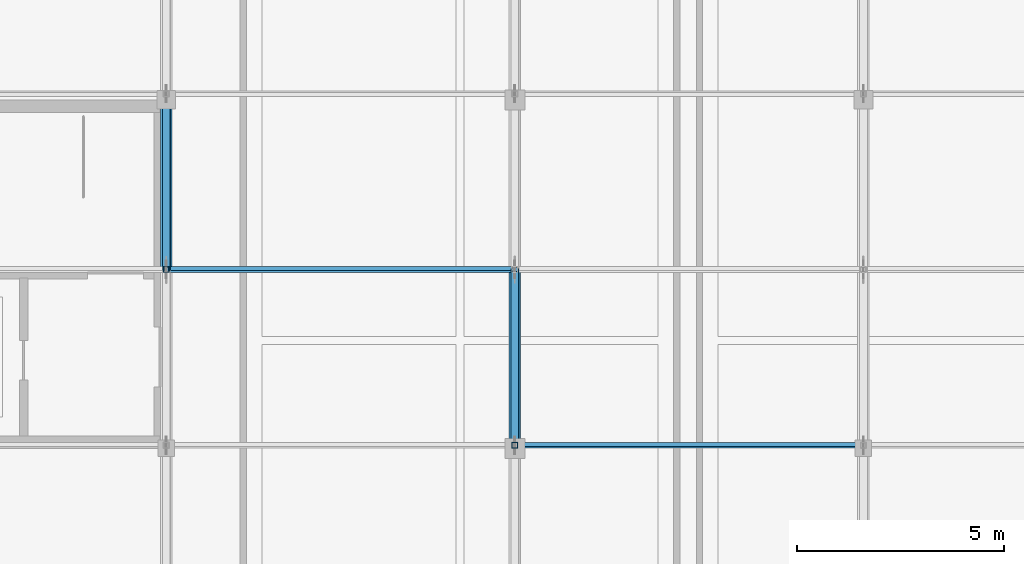
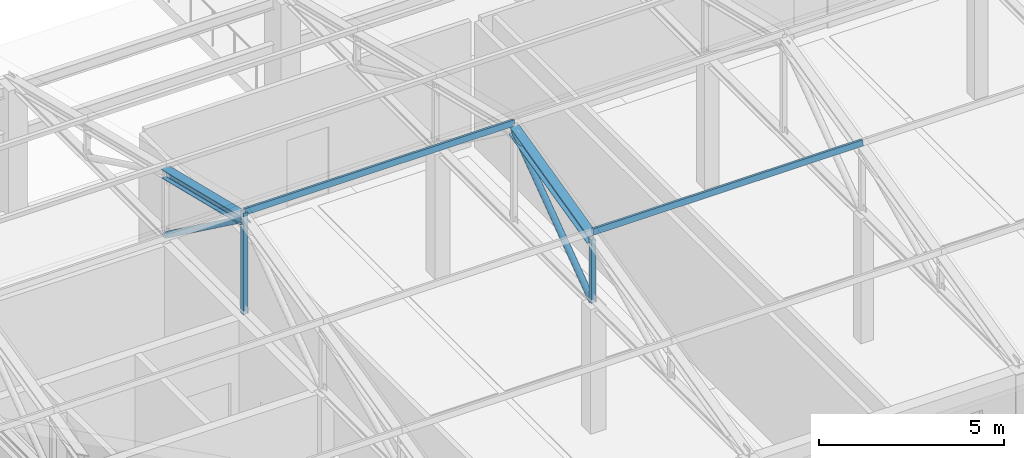
# One storey, part 20 of 192: 8 members.
"""IFC4 building model written with IfcOpenShell, lengths in metres."""

from ifc_helpers import new_model, si_unit, direction, frame, origin, origin_2d, place, context, subcontext, project, spatial, hollow_rectangle, hollow_circle, i_section, extrude, material, material_profile, profile_set, type_object, element, save


model = new_model("IFC4")

# Units and contexts
model_context = context("Model", 3, precision=1e-05, world=origin(), true_north=direction((0.0, 1.0)))
body_context = subcontext(model_context, "Body", "Model", "MODEL_VIEW")
ifc_project = project(units=[si_unit("LENGTHUNIT", "METRE"), si_unit("AREAUNIT", "SQUARE_METRE"), si_unit("VOLUMEUNIT", "CUBIC_METRE"), si_unit("PLANEANGLEUNIT", "RADIAN"), si_unit("MASSUNIT", "GRAM", prefix="KILO")], contexts=[model_context])

# Site, building, storey
site_placement = place(None, origin())
site = spatial("IfcSite", under=ifc_project, at=site_placement, CompositionType="ELEMENT")
building_placement = place(site_placement, origin())
building = spatial("IfcBuilding", under=site, at=building_placement, Name="Kveldsbrygga Polytechnic", CompositionType="ELEMENT")
storey_placement = place(building_placement, frame((0.0, 0.0, 5.43994140625)))
storey = spatial("IfcBuildingStorey", under=building, at=storey_placement, Name="L01", CompositionType="ELEMENT", Elevation=5.43994140625)

# Members
ifc_material = material(Name="Steel S355", Category="steel")
ifc_material_profile_1 = material_profile(ifc_material, hollow_rectangle(XDim=0.10009765625, YDim=0.179931640625, WallThickness=0.008056640625, at=origin_2d()), Name="RHS 180x100x8.0")
ifc_profile_set_1 = profile_set([ifc_material_profile_1], Name="Steel S355")
member_type_1 = type_object("IfcMemberType", Name="PRL-RHS180", PredefinedType="PURLIN", material=ifc_profile_set_1)
member_1_placement = place(storey_placement, frame((16.800048828125, 12.7099609375, 7.456787109375), z_axis=(1.0, 0.0, 0.0), x_axis=(0.0, 0.971520177509, -0.236956841415)))
element("IfcMember", 1, at=member_1_placement, inside=storey, type_object=member_type_1, Name="Roof Purlin V5S-PRL-3-3", PredefinedType="PURLIN", context=body_context, shape_type="SweptSolid", body=[
    extrude(hollow_rectangle(XDim=0.10009765625, YDim=0.179931640625, WallThickness=0.008056640625, at=origin_2d()), origin(), (0.0, 0.0, 1.0), 8.39990234375),
])
member_2_placement = place(storey_placement, frame((25.199951171875, 8.473388671875, 6.423583984375), z_axis=(1.0, 0.0, 0.0), x_axis=(0.0, 0.971520177509, -0.236956841415)))
element("IfcMember", 2, at=member_2_placement, inside=storey, type_object=member_type_1, Name="Roof Purlin V5S-PRL-4-2", PredefinedType="PURLIN", context=body_context, shape_type="SweptSolid", body=[
    extrude(hollow_rectangle(XDim=0.10009765625, YDim=0.179931640625, WallThickness=0.008056640625, at=origin_2d()), origin(), (0.0, 0.0, 1.0), 8.400146484375),
])
ifc_material_profile_2 = material_profile(ifc_material, hollow_circle(Radius=0.096923828125, WallThickness=0.010009765625, at=origin_2d()), Name="CHS 193.7x10.0")
ifc_profile_set_2 = profile_set([ifc_material_profile_2], Name="Steel S355")
member_type_2 = type_object("IfcMemberType", Name="TR-DIAG-CHS194", PredefinedType="BRACE", material=ifc_profile_set_2)
member_3_placement = place(storey_placement, frame((16.800048828125, 12.7099609375, 7.219970703125), z_axis=(0.0, 0.807053568691, -0.590478227594), x_axis=(-1.0, 0.0, 0.0)))
element("IfcMember", 3, at=member_3_placement, inside=storey, type_object=member_type_2, Name="Truss Diagonal V5S-T03-DG-4", PredefinedType="BRACE", context=body_context, shape_type="SweptSolid", body=[
    extrude(hollow_circle(Radius=0.096923828125, WallThickness=0.010009765625, at=origin_2d()), origin(), (0.0, 0.0, 1.0), 5.249755859375),
])
member_4_placement = place(storey_placement, frame((25.199951171875, 8.473388671875, 4.1201171875), z_axis=(0.0, 0.807037353017, 0.590500390207), x_axis=(-1.0, 0.0, 0.0)))
element("IfcMember", 4, at=member_4_placement, inside=storey, type_object=member_type_2, Name="Truss Diagonal V5S-T04-DG-3", PredefinedType="BRACE", context=body_context, shape_type="SweptSolid", body=[
    extrude(hollow_circle(Radius=0.096923828125, WallThickness=0.010009765625, at=origin_2d()), origin(), (0.0, 0.0, 1.0), 5.24951171875),
])
ifc_material_profile_3 = material_profile(ifc_material, hollow_rectangle(XDim=0.139892578125, YDim=0.139892578125, WallThickness=0.008056640625, at=origin_2d()), Name="SHS 140x140x8.0")
ifc_profile_set_3 = profile_set([ifc_material_profile_3], Name="Steel S355")
member_type_3 = type_object("IfcMemberType", Name="TR-POST-SHS140", PredefinedType="STRUT", material=ifc_profile_set_3)
member_5_placement = place(storey_placement, frame((16.800048828125, 12.7099609375, 4.1201171875), z_axis=(0.0, 0.0, 1.0), x_axis=(1.0, 0.0, 0.0)))
element("IfcMember", 5, at=member_5_placement, inside=storey, type_object=member_type_3, Name="Truss Vertical V5S-T03-VT-3", PredefinedType="STRUT", context=body_context, shape_type="SweptSolid", body=[
    extrude(hollow_rectangle(XDim=0.139892578125, YDim=0.139892578125, WallThickness=0.008056640625, at=origin_2d()), origin(), (0.0, 0.0, 1.0), 3.336669921875),
])
member_6_placement = place(storey_placement, frame((25.199951171875, 8.473388671875, 4.1201171875), z_axis=(0.0, 0.0, 1.0), x_axis=(1.0, 0.0, 0.0)))
element("IfcMember", 6, at=member_6_placement, inside=storey, type_object=member_type_3, Name="Truss Vertical V5S-T04-VT-2", PredefinedType="STRUT", context=body_context, shape_type="SweptSolid", body=[
    extrude(hollow_rectangle(XDim=0.139892578125, YDim=0.139892578125, WallThickness=0.008056640625, at=origin_2d()), origin(), (0.0, 0.0, 1.0), 2.066650390625),
])
ifc_material_profile_4 = material_profile(ifc_material, i_section(OverallWidth=0.280029296875, OverallDepth=0.280029296875, WebThickness=0.010498046875, FlangeThickness=0.01806640625, FilletRadius=0.02392578125, at=origin_2d()), Name="HEB 280")
ifc_profile_set_4 = profile_set([ifc_material_profile_4], Name="Steel S355")
member_type_4 = type_object("IfcMemberType", Name="TR-TOP-HEB280", PredefinedType="CHORD", material=ifc_profile_set_4)
member_7_placement = place(storey_placement, frame((16.800048828125, 12.7099609375, 7.219970703125), z_axis=(0.0, 0.971529139484, -0.236920094405), x_axis=(-1.0, 0.0, 0.0)))
element("IfcMember", 7, at=member_7_placement, inside=storey, type_object=member_type_4, Name="Truss Top Chord V5S-T03-TC-4", PredefinedType="CHORD", context=body_context, shape_type="SweptSolid", body=[
    extrude(i_section(OverallWidth=0.280029296875, OverallDepth=0.280029296875, WebThickness=0.010498046875, FlangeThickness=0.01806640625, FilletRadius=0.02392578125, at=origin_2d()), origin(), (0.0, 0.0, 1.0), 4.361083984375),
])
member_8_placement = place(storey_placement, frame((25.199951171875, 8.473388671875, 6.186767578125), z_axis=(0.0, 0.971525996838, 0.236932980961), x_axis=(-1.0, 0.0, 0.0)))
element("IfcMember", 8, at=member_8_placement, inside=storey, type_object=member_type_4, Name="Truss Top Chord V5S-T04-TC-3", PredefinedType="CHORD", context=body_context, shape_type="SweptSolid", body=[
    extrude(i_section(OverallWidth=0.280029296875, OverallDepth=0.280029296875, WebThickness=0.010498046875, FlangeThickness=0.01806640625, FilletRadius=0.02392578125, at=origin_2d()), origin(), (0.0, 0.0, 1.0), 4.36083984375),
])

save(model, "model.ifc")
